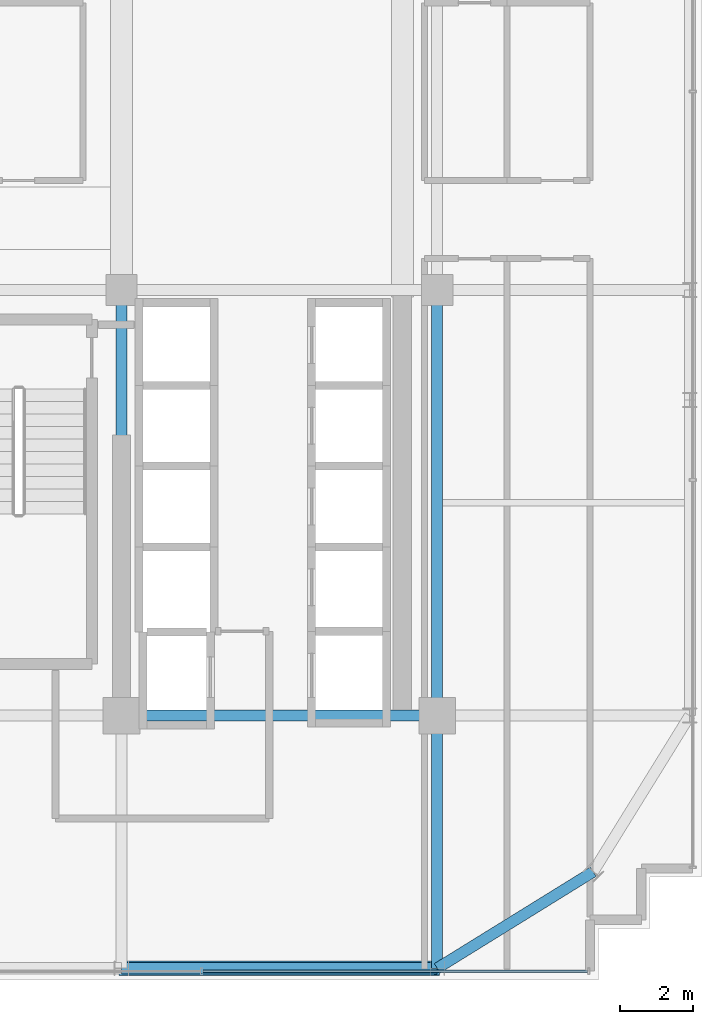
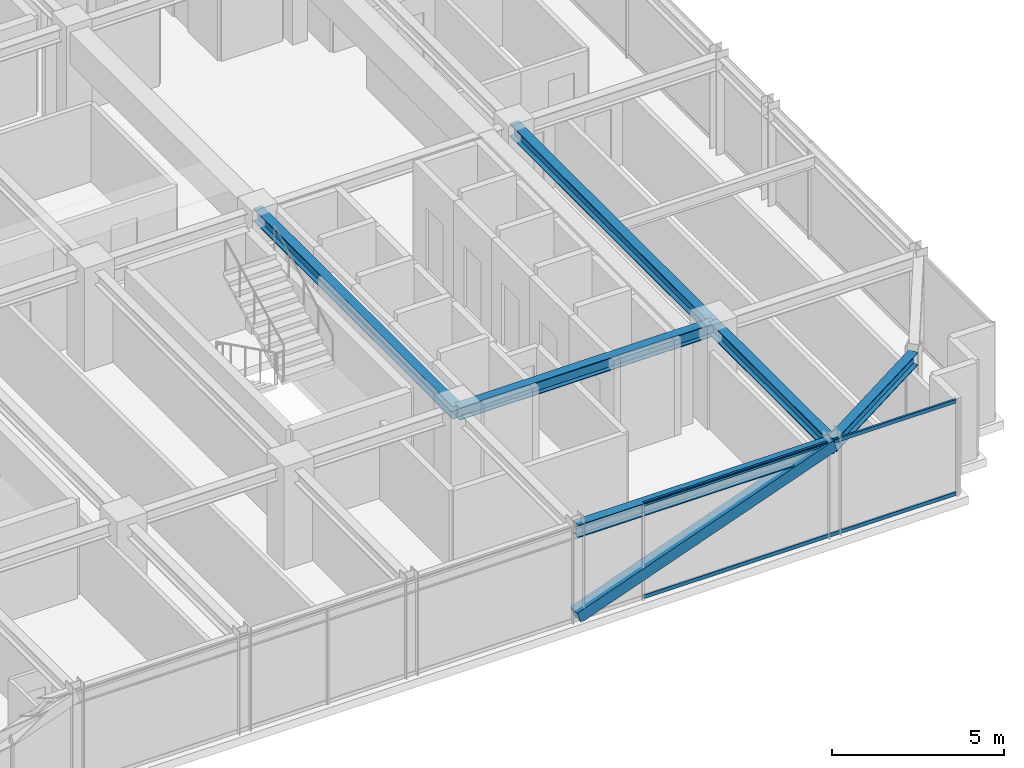
# One storey, part 13 of 36: 6 beams, 3 members, 1 element without a shape of its own.
"""IFC4 building model written with IfcOpenShell, lengths in metres."""

from ifc_helpers import new_model, si_unit, direction, frame, origin, origin_2d, place, context, subcontext, project, spatial, hollow_rectangle, i_section, extrude, source, transform, mapped, material, material_profile, profile_set, type_object, element, aggregate, save


model = new_model("IFC4")

# Units and contexts
model_context = context("Model", 3, precision=1e-05, world=origin(), true_north=direction((0.0, 1.0)))
body_context = subcontext(model_context, "Body", "Model", "MODEL_VIEW")
ifc_project = project(units=[si_unit("LENGTHUNIT", "METRE"), si_unit("AREAUNIT", "SQUARE_METRE"), si_unit("VOLUMEUNIT", "CUBIC_METRE"), si_unit("PLANEANGLEUNIT", "RADIAN"), si_unit("MASSUNIT", "GRAM", prefix="KILO")], contexts=[model_context])

# Site, building, storey
site_placement = place(None, origin())
site = spatial("IfcSite", under=ifc_project, at=site_placement, CompositionType="ELEMENT")
building_placement = place(site_placement, origin())
building = spatial("IfcBuilding", under=site, at=building_placement, Name="Nahalor Promenade Grand Hotel", CompositionType="ELEMENT")
storey_placement = place(building_placement, frame((0.0, 0.0, 241.89990234375)))
storey = spatial("IfcBuildingStorey", under=building, at=storey_placement, Name="L62", CompositionType="ELEMENT", Elevation=241.89990234375)

# Beams
ifc_material_1 = material(Name="Steel S355JR", Category="steel")
ifc_material_profile_1 = material_profile(ifc_material_1, i_section(OverallWidth=0.3, OverallDepth=0.45, WebThickness=0.014, FlangeThickness=0.026, at=origin_2d()), Name="HEB 450")
ifc_profile_set_1 = profile_set([ifc_material_profile_1], Name="Steel S355JR")
beam_type_1 = type_object("IfcBeamType", Name="Beam-Spandrel-HEB450", PredefinedType="SPANDREL", material=ifc_profile_set_1)
shared_shape_1 = source(origin(), body_context, "Body", "SweptSolid", [
    extrude(i_section(OverallWidth=0.3, OverallDepth=0.45, WebThickness=0.014, FlangeThickness=0.026, at=origin_2d()), origin(), (0.0, 0.0, 1.0), 8.60009765625),
])
beam_1_placement = place(storey_placement, frame((8.39990234375, -23.8798828125, 3.18505859375), z_axis=(1.0, 0.0, 0.0), x_axis=(0.0, 1.0, 0.0)))
element("IfcBeam", 1, at=beam_1_placement, inside=storey, type_object=beam_type_1, Name="BM-L62-SP-S-4", PredefinedType="SPANDREL", context=body_context, shape_type="MappedRepresentation", body=[
    mapped(shared_shape_1, transform((0.0, 0.0, 0.0), scale=1.0)),
])
shared_shape_2 = source(origin(), body_context, "Body", "SweptSolid", [
    extrude(i_section(OverallWidth=0.3, OverallDepth=0.45, WebThickness=0.014, FlangeThickness=0.026, at=origin_2d()), origin(), (0.0, 0.0, 1.0), 4.997802734375),
])
beam_2_placement = place(storey_placement, frame((17.0, -23.8798828125, 3.18505859375), z_axis=(0.850360908404, 0.526199891161, 0.0), x_axis=(-0.526199891161, 0.850360908404, 0.0)))
element("IfcBeam", 2, at=beam_2_placement, inside=storey, type_object=beam_type_1, Name="BM-L62-SPC-SE-1", PredefinedType="SPANDREL", context=body_context, shape_type="MappedRepresentation", body=[
    mapped(shared_shape_2, transform((0.0, 0.0, 0.0), scale=1.0)),
])
ifc_material_profile_2 = material_profile(ifc_material_1, i_section(OverallWidth=0.3, OverallDepth=0.45, WebThickness=0.014, FlangeThickness=0.026, at=origin_2d()), Name="HEB 450")
ifc_profile_set_2 = profile_set([ifc_material_profile_2], Name="Steel S355JR")
beam_type_2 = type_object("IfcBeamType", Name="Beam-Girder-HEB450", PredefinedType="BEAM", material=ifc_profile_set_2)
shared_shape_3 = source(origin(), body_context, "Body", "SweptSolid", [
    extrude(i_section(OverallWidth=0.3, OverallDepth=0.45, WebThickness=0.014, FlangeThickness=0.026, at=origin_2d()), origin(), (0.0, 0.0, 1.0), 6.8798828125),
])
beam_3_placement = place(storey_placement, frame((17.0, -23.8798828125, 3.18505859375), z_axis=(0.0, 1.0, 0.0), x_axis=(-1.0, 0.0, 0.0)))
element("IfcBeam", 3, at=beam_3_placement, inside=storey, type_object=beam_type_2, Name="BM-L62-GY-5-0", PredefinedType="BEAM", context=body_context, shape_type="MappedRepresentation", body=[
    mapped(shared_shape_3, transform((0.0, 0.0, 0.0), scale=1.0)),
])
shared_shape_4 = source(origin(), body_context, "Body", "SweptSolid", [
    extrude(i_section(OverallWidth=0.3, OverallDepth=0.45, WebThickness=0.014, FlangeThickness=0.026, at=origin_2d()), origin(), (0.0, 0.0, 1.0), 8.60009765625),
])
beam_4_placement = place(storey_placement, frame((8.39990234375, -17.0, 3.18505859375), z_axis=(1.0, 0.0, 0.0), x_axis=(0.0, 1.0, 0.0)))
element("IfcBeam", 4, at=beam_4_placement, inside=storey, type_object=beam_type_2, Name="BM-L62-GX-0-5", PredefinedType="BEAM", context=body_context, shape_type="MappedRepresentation", body=[
    mapped(shared_shape_4, transform((0.0, 0.0, 0.0), scale=1.0)),
])
shared_shape_5 = source(origin(), body_context, "Body", "SweptSolid", [
    extrude(i_section(OverallWidth=0.3, OverallDepth=0.45, WebThickness=0.014, FlangeThickness=0.026, at=origin_2d()), origin(), (0.0, 0.0, 1.0), 11.60009765625),
])
for number, where, z_axis, x_axis, name in (
    (5, (8.39990234375, -17.0, 3.18505859375), (0.0, 1.0, 0.0), (-1.0, 0.0, 0.0), "BM-L62-GY-4-1"),
    (6, (17.0, -17.0, 3.18505859375), (0.0, 1.0, 0.0), (-1.0, 0.0, 0.0), "BM-L62-GY-5-1"),
):
    element("IfcBeam", number, at=place(storey_placement, frame(where, z_axis=z_axis, x_axis=x_axis)), inside=storey, type_object=beam_type_2, Name=name, PredefinedType="BEAM", context=body_context, shape_type="MappedRepresentation", body=[
        mapped(shared_shape_5, transform((0.0, 0.0, 0.0), scale=1.0)),
    ])

# Member
ifc_material_profile_3 = material_profile(ifc_material_1, hollow_rectangle(XDim=0.4, YDim=0.4, WallThickness=0.022, at=origin_2d()), Name="SHS 400x400x22")
ifc_profile_set_3 = profile_set([ifc_material_profile_3], Name="Steel S355JR")
member_type_1 = type_object("IfcMemberType", Name="Mem-ExoBrace-SHS400", PredefinedType="BRACE", material=ifc_profile_set_3)
shared_shape_6 = source(origin(), body_context, "Body", "SweptSolid", [
    extrude(hollow_rectangle(XDim=0.4, YDim=0.4, WallThickness=0.022, at=origin_2d()), origin(), (0.0, 0.0, 1.0), 9.14501953125),
])
member_1_placement = place(storey_placement, frame((8.39990234375, -23.8798828125, 0.150146484375), z_axis=(0.940404564616, 0.0, 0.340057722821), x_axis=(0.0, 1.0, 0.0)))
element("IfcMember", 7, at=member_1_placement, inside=storey, type_object=member_type_1, Name="EXO-L62-S-1", PredefinedType="BRACE", context=body_context, shape_type="MappedRepresentation", body=[
    mapped(shared_shape_6, transform((0.0, 0.0, 0.0), scale=1.0)),
])

# Curtain wall, members
ifc_material_2 = material(Name="Anodised Bronze Aluminium EN AW-6063 T6", Category="aluminium")
curtain_wall_type = type_object("IfcCurtainWallType", Name="CW2 Typical Hotel Flush Bronze Unitised Curtain Wall", PredefinedType="USERDEFINED", material=ifc_material_2)
curtain_wall_placement = place(storey_placement, origin())
curtain_wall = element("IfcCurtainWall", 8, at=curtain_wall_placement, inside=storey, type_object=curtain_wall_type, Name="L62 Curtain Wall CW-L62-S-1", ObjectType="UNITISED_CURTAIN_WALL", PredefinedType="USERDEFINED")
ifc_material_profile_4 = material_profile(ifc_material_2, hollow_rectangle(XDim=0.065, YDim=0.13, WallThickness=0.004, at=origin_2d()), Name="CWT 65x130x4")
ifc_profile_set_4 = profile_set([ifc_material_profile_4], Name="Anodised Bronze Aluminium EN AW-6063 T6")
member_type_2 = type_object("IfcMemberType", Name="CWT2 Typical Bronze Transom 65x130", PredefinedType="USERDEFINED", material=ifc_profile_set_4)
shared_shape_7 = source(origin(), body_context, "Body", "SweptSolid", [
    extrude(hollow_rectangle(XDim=0.065, YDim=0.13, WallThickness=0.004, at=origin_2d()), origin(), (0.0, 0.0, 1.0), 10.482421875),
])
member_2_placement = place(storey_placement, frame((10.612548828125, -23.9599609375, 0.065185546875), z_axis=(1.0, 0.0, 0.0), x_axis=(0.0, 1.0, 0.0)))
member_2 = element("IfcMember", 9, at=member_2_placement, type_object=member_type_2, Name="CW-L62-S-1 Transom 3-0", ObjectType="TRANSOM", PredefinedType="USERDEFINED", context=body_context, shape_type="MappedRepresentation", body=[
    mapped(shared_shape_7, transform((0.0, 0.0, 0.0), scale=1.0)),
])
member_3_placement = place(storey_placement, frame((10.612548828125, -23.9599609375, 3.34521484375), z_axis=(1.0, 0.0, 0.0), x_axis=(0.0, 1.0, 0.0)))
member_3 = element("IfcMember", 10, at=member_3_placement, type_object=member_type_2, Name="CW-L62-S-1 Transom 3-1", ObjectType="TRANSOM", PredefinedType="USERDEFINED", context=body_context, shape_type="MappedRepresentation", body=[
    mapped(shared_shape_7, transform((0.0, 0.0, 0.0), scale=1.0)),
])
aggregate(curtain_wall, [member_2, member_3])

save(model, "model.ifc")
